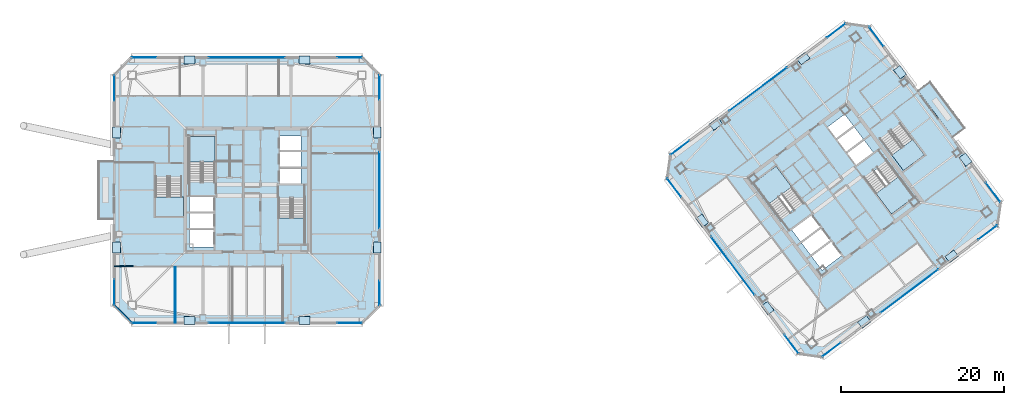
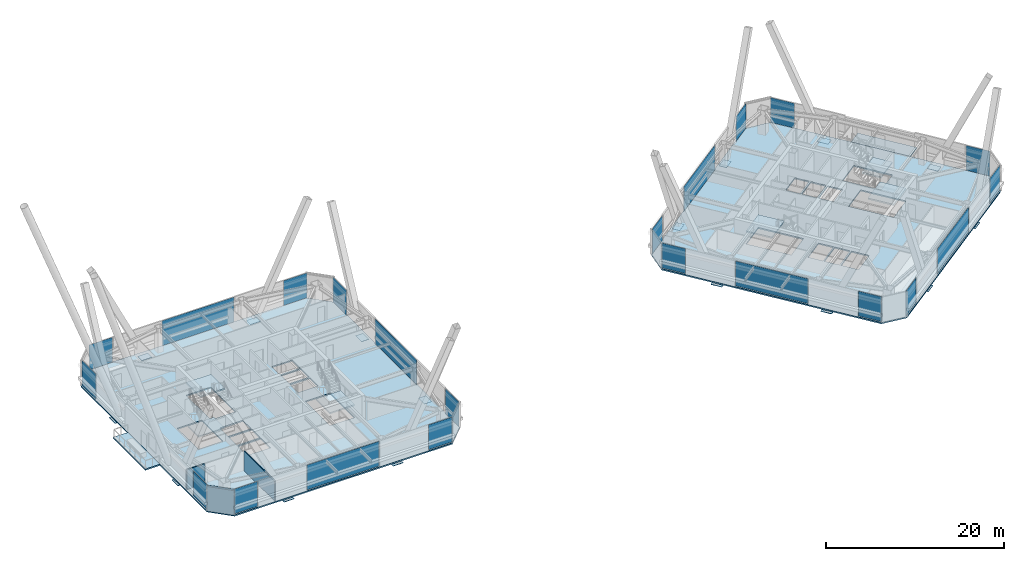
# One storey, part 45 of 56: 38 plates, 10 slabs, 3 walls, 28 elements without a shape of their own.
"""IFC4 building model written with IfcOpenShell, lengths in metres."""

from ifc_helpers import new_model, si_unit, direction, frame, frame_2d, origin, origin_2d, place, context, subcontext, project, spatial, polyline, rectangle, outline, extrude, material, layer, layer_set, type_object, element, aggregate, save


model = new_model("IFC4")

# Units and contexts
model_context = context("Model", 3, precision=1e-05, world=origin(), true_north=direction((0.0, 1.0)))
body_context = subcontext(model_context, "Body", "Model", "MODEL_VIEW")
ifc_project = project(units=[si_unit("LENGTHUNIT", "METRE"), si_unit("AREAUNIT", "SQUARE_METRE"), si_unit("VOLUMEUNIT", "CUBIC_METRE"), si_unit("PLANEANGLEUNIT", "RADIAN"), si_unit("MASSUNIT", "GRAM", prefix="KILO")], contexts=[model_context])

# Site, building, storey
site_placement = place(None, origin())
site = spatial("IfcSite", under=ifc_project, at=site_placement, CompositionType="ELEMENT")
building_placement = place(site_placement, origin())
building = spatial("IfcBuilding", under=site, at=building_placement, Name="Tashvorn Skyway Center", CompositionType="ELEMENT")
storey_placement = place(building_placement, frame((0.0, 0.0, 218.39990234375)))
storey = spatial("IfcBuildingStorey", under=building, at=storey_placement, Name="L59", CompositionType="ELEMENT", Elevation=218.39990234375)

# Curtain wall, plate
ifc_material_1 = material(Name="Thermally broken bronze-anodized aluminium 6063-T6", Category="aluminium")
curtain_wall_type = type_object("IfcCurtainWallType", Name="CW-CW-Z5", PredefinedType="NOTDEFINED", material=ifc_material_1)
curtain_wall_1_placement = place(storey_placement, origin())
curtain_wall_1 = element("IfcCurtainWall", 1, at=curtain_wall_1_placement, inside=storey, type_object=curtain_wall_type, Name="Tower 1 L59 South Unitised Curtain Wall Glazing Group 1", PredefinedType="NOTDEFINED")
ifc_material_2 = material(Name="Low-E solar-control double insulating safety glass", Category="glass")
ifc_layer_1 = layer(ifc_material_2, 0.031982421875)
ifc_layer_set_1 = layer_set([ifc_layer_1], Name="Low-E solar-control double insulating safety glass")
plate_type_1 = type_object("IfcPlateType", Name="CWP-CW-Z5", PredefinedType="CURTAIN_PANEL", material=ifc_layer_set_1)
plate_1_placement = place(storey_placement, frame((54.6044921875, 15.719970703125, 0.0703125), z_axis=(0.0, 0.0, 1.0), x_axis=(-1.0, 0.0, 0.0)))
plate_1 = element("IfcPlate", 2, at=plate_1_placement, type_object=plate_type_1, Name="CW-Z5 panel 1.1", PredefinedType="CURTAIN_PANEL", context=body_context, shape_type="SweptSolid", body=[
    extrude(rectangle(XDim=3.010986328125, YDim=0.031982421875, at=origin_2d()), origin(), (0.0, 0.0, 1.0), 3.409912109375),
])
aggregate(curtain_wall_1, [plate_1])

curtain_wall_2_placement = place(storey_placement, origin())
curtain_wall_2 = element("IfcCurtainWall", 3, at=curtain_wall_2_placement, inside=storey, type_object=curtain_wall_type, Name="Tower 1 L59 South Unitised Curtain Wall Glazing Group 2", PredefinedType="NOTDEFINED")
plate_2_placement = place(storey_placement, frame((42.0, 15.719970703125, 0.0703125), z_axis=(0.0, 0.0, 1.0), x_axis=(-1.0, 0.0, 0.0)))
plate_2 = element("IfcPlate", 4, at=plate_2_placement, type_object=plate_type_1, Name="CW-Z5 panel 1.1", PredefinedType="CURTAIN_PANEL", context=body_context, shape_type="SweptSolid", body=[
    extrude(rectangle(XDim=9.3134765625, YDim=0.031982421875, at=origin_2d()), origin(), (0.0, 0.0, 1.0), 3.409912109375),
])
aggregate(curtain_wall_2, [plate_2])

curtain_wall_3_placement = place(storey_placement, origin())
curtain_wall_3 = element("IfcCurtainWall", 5, at=curtain_wall_3_placement, inside=storey, type_object=curtain_wall_type, Name="Tower 1 L59 South Unitised Curtain Wall Glazing Group 3", PredefinedType="NOTDEFINED")
plate_3_placement = place(storey_placement, frame((29.3955078125, 15.719970703125, 0.0703125), z_axis=(0.0, 0.0, 1.0), x_axis=(-1.0, 0.0, 0.0)))
plate_3 = element("IfcPlate", 6, at=plate_3_placement, type_object=plate_type_1, Name="CW-Z5 panel 1.1", PredefinedType="CURTAIN_PANEL", context=body_context, shape_type="SweptSolid", body=[
    extrude(rectangle(XDim=3.010986328125, YDim=0.031982421875, at=origin_2d()), origin(), (0.0, 0.0, 1.0), 3.409912109375),
])
aggregate(curtain_wall_3, [plate_3])

curtain_wall_4_placement = place(storey_placement, origin())
curtain_wall_4 = element("IfcCurtainWall", 7, at=curtain_wall_4_placement, inside=storey, type_object=curtain_wall_type, Name="Tower 1 L59 West Curtain Wall L Glazing Group 1", PredefinedType="NOTDEFINED")
plate_4_placement = place(storey_placement, frame((25.719970703125, 19.47509765625, 0.0703125), z_axis=(0.0, 0.0, 1.0), x_axis=(0.0, 1.0, 0.0)))
plate_4 = element("IfcPlate", 8, at=plate_4_placement, type_object=plate_type_1, Name="CW-Z5 panel 1.1", PredefinedType="CURTAIN_PANEL", context=body_context, shape_type="SweptSolid", body=[
    extrude(rectangle(XDim=3.169921875, YDim=0.031982421875, at=origin_2d()), origin(), (0.0, 0.0, 1.0), 3.409912109375),
])
aggregate(curtain_wall_4, [plate_4])

curtain_wall_5_placement = place(storey_placement, origin())
curtain_wall_5 = element("IfcCurtainWall", 9, at=curtain_wall_5_placement, inside=storey, type_object=curtain_wall_type, Name="Tower 1 L59 West Curtain Wall R Glazing Group 1", PredefinedType="NOTDEFINED")
plate_5_placement = place(storey_placement, frame((25.719970703125, 44.52490234375, 0.0703125), z_axis=(0.0, 0.0, 1.0), x_axis=(0.0, 1.0, 0.0)))
plate_5 = element("IfcPlate", 10, at=plate_5_placement, type_object=plate_type_1, Name="CW-Z5 panel 1.1", PredefinedType="CURTAIN_PANEL", context=body_context, shape_type="SweptSolid", body=[
    extrude(rectangle(XDim=3.169921875, YDim=0.031982421875, at=origin_2d()), origin(), (0.0, 0.0, 1.0), 3.409912109375),
])
aggregate(curtain_wall_5, [plate_5])

curtain_wall_6_placement = place(storey_placement, origin())
curtain_wall_6 = element("IfcCurtainWall", 11, at=curtain_wall_6_placement, inside=storey, type_object=curtain_wall_type, Name="Tower 1 L59 North Unitised Curtain Wall Glazing Group 1", PredefinedType="NOTDEFINED")
plate_6_placement = place(storey_placement, frame((29.3955078125, 48.280029296875, 0.0703125), z_axis=(0.0, 0.0, 1.0), x_axis=(1.0, 0.0, 0.0)))
plate_6 = element("IfcPlate", 12, at=plate_6_placement, type_object=plate_type_1, Name="CW-Z5 panel 1.1", PredefinedType="CURTAIN_PANEL", context=body_context, shape_type="SweptSolid", body=[
    extrude(rectangle(XDim=3.010986328125, YDim=0.031982421875, at=origin_2d()), origin(), (0.0, 0.0, 1.0), 3.409912109375),
])
aggregate(curtain_wall_6, [plate_6])

curtain_wall_7_placement = place(storey_placement, origin())
curtain_wall_7 = element("IfcCurtainWall", 13, at=curtain_wall_7_placement, inside=storey, type_object=curtain_wall_type, Name="Tower 1 L59 North Unitised Curtain Wall Glazing Group 2", PredefinedType="NOTDEFINED")
plate_7_placement = place(storey_placement, frame((42.0, 48.280029296875, 0.0703125), z_axis=(0.0, 0.0, 1.0), x_axis=(1.0, 0.0, 0.0)))
plate_7 = element("IfcPlate", 14, at=plate_7_placement, type_object=plate_type_1, Name="CW-Z5 panel 1.1", PredefinedType="CURTAIN_PANEL", context=body_context, shape_type="SweptSolid", body=[
    extrude(rectangle(XDim=9.3134765625, YDim=0.031982421875, at=origin_2d()), origin(), (0.0, 0.0, 1.0), 3.409912109375),
])
aggregate(curtain_wall_7, [plate_7])

curtain_wall_8_placement = place(storey_placement, origin())
curtain_wall_8 = element("IfcCurtainWall", 15, at=curtain_wall_8_placement, inside=storey, type_object=curtain_wall_type, Name="Tower 1 L59 North Unitised Curtain Wall Glazing Group 3", PredefinedType="NOTDEFINED")
plate_8_placement = place(storey_placement, frame((54.6044921875, 48.280029296875, 0.0703125), z_axis=(0.0, 0.0, 1.0), x_axis=(1.0, 0.0, 0.0)))
plate_8 = element("IfcPlate", 16, at=plate_8_placement, type_object=plate_type_1, Name="CW-Z5 panel 1.1", PredefinedType="CURTAIN_PANEL", context=body_context, shape_type="SweptSolid", body=[
    extrude(rectangle(XDim=3.010986328125, YDim=0.031982421875, at=origin_2d()), origin(), (0.0, 0.0, 1.0), 3.409912109375),
])
aggregate(curtain_wall_8, [plate_8])

curtain_wall_9_placement = place(storey_placement, origin())
curtain_wall_9 = element("IfcCurtainWall", 17, at=curtain_wall_9_placement, inside=storey, type_object=curtain_wall_type, Name="Tower 1 L59 East Unitised Curtain Wall Glazing Group 1", PredefinedType="NOTDEFINED")
plate_9_placement = place(storey_placement, frame((58.280029296875, 44.6044921875, 0.0703125), z_axis=(0.0, 0.0, 1.0), x_axis=(0.0, -1.0, 0.0)))
plate_9 = element("IfcPlate", 18, at=plate_9_placement, type_object=plate_type_1, Name="CW-Z5 panel 1.1", PredefinedType="CURTAIN_PANEL", context=body_context, shape_type="SweptSolid", body=[
    extrude(rectangle(XDim=3.010986328125, YDim=0.031982421875, at=origin_2d()), origin(), (0.0, 0.0, 1.0), 3.409912109375),
])
aggregate(curtain_wall_9, [plate_9])

curtain_wall_10_placement = place(storey_placement, origin())
curtain_wall_10 = element("IfcCurtainWall", 19, at=curtain_wall_10_placement, inside=storey, type_object=curtain_wall_type, Name="Tower 1 L59 East Unitised Curtain Wall Glazing Group 2", PredefinedType="NOTDEFINED")
plate_10_placement = place(storey_placement, frame((58.280029296875, 32.0, 0.0703125), z_axis=(0.0, 0.0, 1.0), x_axis=(0.0, -1.0, 0.0)))
plate_10 = element("IfcPlate", 20, at=plate_10_placement, type_object=plate_type_1, Name="CW-Z5 panel 1.1", PredefinedType="CURTAIN_PANEL", context=body_context, shape_type="SweptSolid", body=[
    extrude(rectangle(XDim=9.3134765625, YDim=0.031982421875, at=origin_2d()), origin(), (0.0, 0.0, 1.0), 3.409912109375),
])
aggregate(curtain_wall_10, [plate_10])

curtain_wall_11_placement = place(storey_placement, origin())
curtain_wall_11 = element("IfcCurtainWall", 21, at=curtain_wall_11_placement, inside=storey, type_object=curtain_wall_type, Name="Tower 1 L59 East Unitised Curtain Wall Glazing Group 3", PredefinedType="NOTDEFINED")
plate_11_placement = place(storey_placement, frame((58.280029296875, 19.3955078125, 0.0703125), z_axis=(0.0, 0.0, 1.0), x_axis=(0.0, -1.0, 0.0)))
plate_11 = element("IfcPlate", 22, at=plate_11_placement, type_object=plate_type_1, Name="CW-Z5 panel 1.1", PredefinedType="CURTAIN_PANEL", context=body_context, shape_type="SweptSolid", body=[
    extrude(rectangle(XDim=3.010986328125, YDim=0.031982421875, at=origin_2d()), origin(), (0.0, 0.0, 1.0), 3.409912109375),
])
aggregate(curtain_wall_11, [plate_11])

curtain_wall_12_placement = place(storey_placement, origin())
curtain_wall_12 = element("IfcCurtainWall", 23, at=curtain_wall_12_placement, inside=storey, type_object=curtain_wall_type, Name="Tower 2 L59 South Unitised Curtain Wall Glazing Group 1", PredefinedType="NOTDEFINED")
plate_12_placement = place(storey_placement, frame((132.873779296875, 26.805419921875, 0.0703125), z_axis=(0.0, 0.0, 1.0), x_axis=(-0.799999999998, -0.600000000002, 0.0)))
plate_12 = element("IfcPlate", 24, at=plate_12_placement, type_object=plate_type_1, Name="CW-Z5 panel 1.1", PredefinedType="CURTAIN_PANEL", context=body_context, shape_type="SweptSolid", body=[
    extrude(rectangle(XDim=2.85546875, YDim=0.031982421875, at=origin_2d()), origin(), (0.0, 0.0, 1.0), 3.409912109375),
])
aggregate(curtain_wall_12, [plate_12])

curtain_wall_13_placement = place(storey_placement, origin())
curtain_wall_13 = element("IfcCurtainWall", 25, at=curtain_wall_13_placement, inside=storey, type_object=curtain_wall_type, Name="Tower 2 L59 South Unitised Curtain Wall Glazing Group 2", PredefinedType="NOTDEFINED")
plate_13_placement = place(storey_placement, frame((123.2880859375, 19.615966796875, 0.0703125), z_axis=(0.0, 0.0, 1.0), x_axis=(-0.800002670596, -0.599996439189, 0.0)))
plate_13 = element("IfcPlate", 26, at=plate_13_placement, type_object=plate_type_1, Name="CW-Z5 panel 1.1", PredefinedType="CURTAIN_PANEL", context=body_context, shape_type="SweptSolid", body=[
    extrude(rectangle(XDim=8.8466796875, YDim=0.031982421875, at=origin_2d()), origin(), (0.0, 0.0, 1.0), 3.409912109375),
])
aggregate(curtain_wall_13, [plate_13])

curtain_wall_14_placement = place(storey_placement, origin())
curtain_wall_14 = element("IfcCurtainWall", 27, at=curtain_wall_14_placement, inside=storey, type_object=curtain_wall_type, Name="Tower 2 L59 South Unitised Curtain Wall Glazing Group 3", PredefinedType="NOTDEFINED")
plate_14_placement = place(storey_placement, frame((113.7021484375, 12.4267578125, 0.0703125), z_axis=(0.0, 0.0, 1.0), x_axis=(-0.799999999998, -0.600000000002, 0.0)))
plate_14 = element("IfcPlate", 28, at=plate_14_placement, type_object=plate_type_1, Name="CW-Z5 panel 1.1", PredefinedType="CURTAIN_PANEL", context=body_context, shape_type="SweptSolid", body=[
    extrude(rectangle(XDim=2.85546875, YDim=0.031982421875, at=origin_2d()), origin(), (0.0, 0.0, 1.0), 3.409912109375),
])
aggregate(curtain_wall_14, [plate_14])

curtain_wall_15_placement = place(storey_placement, origin())
curtain_wall_15 = element("IfcCurtainWall", 29, at=curtain_wall_15_placement, inside=storey, type_object=curtain_wall_type, Name="Tower 2 L59 West Unitised Curtain Wall Glazing Group 1", PredefinedType="NOTDEFINED")
plate_15_placement = place(storey_placement, frame((108.805419921875, 13.126220703125, 0.0703125), z_axis=(0.0, 0.0, 1.0), x_axis=(-0.600000000002, 0.799999999998, 0.0)))
plate_15 = element("IfcPlate", 30, at=plate_15_placement, type_object=plate_type_1, Name="CW-Z5 panel 1.1", PredefinedType="CURTAIN_PANEL", context=body_context, shape_type="SweptSolid", body=[
    extrude(rectangle(XDim=2.85546875, YDim=0.031982421875, at=origin_2d()), origin(), (0.0, 0.0, 1.0), 3.409912109375),
])
aggregate(curtain_wall_15, [plate_15])

curtain_wall_16_placement = place(storey_placement, origin())
curtain_wall_16 = element("IfcCurtainWall", 31, at=curtain_wall_16_placement, inside=storey, type_object=curtain_wall_type, Name="Tower 2 L59 West Unitised Curtain Wall Glazing Group 2", PredefinedType="NOTDEFINED")
plate_16_placement = place(storey_placement, frame((101.615966796875, 22.7119140625, 0.0703125), z_axis=(0.0, 0.0, 1.0), x_axis=(-0.599996439189, 0.800002670596, 0.0)))
plate_16 = element("IfcPlate", 32, at=plate_16_placement, type_object=plate_type_1, Name="CW-Z5 panel 1.1", PredefinedType="CURTAIN_PANEL", context=body_context, shape_type="SweptSolid", body=[
    extrude(rectangle(XDim=8.8466796875, YDim=0.031982421875, at=origin_2d()), origin(), (0.0, 0.0, 1.0), 3.409912109375),
])
aggregate(curtain_wall_16, [plate_16])

curtain_wall_17_placement = place(storey_placement, origin())
curtain_wall_17 = element("IfcCurtainWall", 33, at=curtain_wall_17_placement, inside=storey, type_object=curtain_wall_type, Name="Tower 2 L59 West Unitised Curtain Wall Glazing Group 3", PredefinedType="NOTDEFINED")
plate_17_placement = place(storey_placement, frame((94.4267578125, 32.2978515625, 0.0703125), z_axis=(0.0, 0.0, 1.0), x_axis=(-0.600000000002, 0.799999999998, 0.0)))
plate_17 = element("IfcPlate", 34, at=plate_17_placement, type_object=plate_type_1, Name="CW-Z5 panel 1.1", PredefinedType="CURTAIN_PANEL", context=body_context, shape_type="SweptSolid", body=[
    extrude(rectangle(XDim=2.85546875, YDim=0.031982421875, at=origin_2d()), origin(), (0.0, 0.0, 1.0), 3.409912109375),
])
aggregate(curtain_wall_17, [plate_17])

curtain_wall_18_placement = place(storey_placement, origin())
curtain_wall_18 = element("IfcCurtainWall", 35, at=curtain_wall_18_placement, inside=storey, type_object=curtain_wall_type, Name="Tower 2 L59 North Unitised Curtain Wall Glazing Group 1", PredefinedType="NOTDEFINED")
plate_18_placement = place(storey_placement, frame((95.126220703125, 37.194580078125, 0.0703125), z_axis=(0.0, 0.0, 1.0), x_axis=(0.799999999998, 0.600000000002, 0.0)))
plate_18 = element("IfcPlate", 36, at=plate_18_placement, type_object=plate_type_1, Name="CW-Z5 panel 1.1", PredefinedType="CURTAIN_PANEL", context=body_context, shape_type="SweptSolid", body=[
    extrude(rectangle(XDim=2.85546875, YDim=0.031982421875, at=origin_2d()), origin(), (0.0, 0.0, 1.0), 3.409912109375),
])
aggregate(curtain_wall_18, [plate_18])

curtain_wall_19_placement = place(storey_placement, origin())
curtain_wall_19 = element("IfcCurtainWall", 37, at=curtain_wall_19_placement, inside=storey, type_object=curtain_wall_type, Name="Tower 2 L59 North Unitised Curtain Wall Glazing Group 2", PredefinedType="NOTDEFINED")
plate_19_placement = place(storey_placement, frame((104.7119140625, 44.384033203125, 0.0703125), z_axis=(0.0, 0.0, 1.0), x_axis=(0.800002670596, 0.599996439189, 0.0)))
plate_19 = element("IfcPlate", 38, at=plate_19_placement, type_object=plate_type_1, Name="CW-Z5 panel 1.1", PredefinedType="CURTAIN_PANEL", context=body_context, shape_type="SweptSolid", body=[
    extrude(rectangle(XDim=8.8466796875, YDim=0.031982421875, at=origin_2d()), origin(), (0.0, 0.0, 1.0), 3.409912109375),
])
aggregate(curtain_wall_19, [plate_19])

curtain_wall_20_placement = place(storey_placement, origin())
curtain_wall_20 = element("IfcCurtainWall", 39, at=curtain_wall_20_placement, inside=storey, type_object=curtain_wall_type, Name="Tower 2 L59 North Unitised Curtain Wall Glazing Group 3", PredefinedType="NOTDEFINED")
plate_20_placement = place(storey_placement, frame((114.2978515625, 51.5732421875, 0.0703125), z_axis=(0.0, 0.0, 1.0), x_axis=(0.799999999998, 0.600000000002, 0.0)))
plate_20 = element("IfcPlate", 40, at=plate_20_placement, type_object=plate_type_1, Name="CW-Z5 panel 1.1", PredefinedType="CURTAIN_PANEL", context=body_context, shape_type="SweptSolid", body=[
    extrude(rectangle(XDim=2.85546875, YDim=0.031982421875, at=origin_2d()), origin(), (0.0, 0.0, 1.0), 3.409912109375),
])
aggregate(curtain_wall_20, [plate_20])

curtain_wall_21_placement = place(storey_placement, origin())
curtain_wall_21 = element("IfcCurtainWall", 41, at=curtain_wall_21_placement, inside=storey, type_object=curtain_wall_type, Name="Tower 2 L59 East Curtain Wall L Glazing Group 1", PredefinedType="NOTDEFINED")
plate_21_placement = place(storey_placement, frame((119.218994140625, 50.84130859375, 0.0703125), z_axis=(0.0, 0.0, 1.0), x_axis=(0.60000520047, -0.799996099621, 0.0)))
plate_21 = element("IfcPlate", 42, at=plate_21_placement, type_object=plate_type_1, Name="CW-Z5 panel 1.1", PredefinedType="CURTAIN_PANEL", context=body_context, shape_type="SweptSolid", body=[
    extrude(rectangle(XDim=2.9365234375, YDim=0.031982421875, at=origin_2d()), origin(), (0.0, 0.0, 1.0), 3.409912109375),
])
aggregate(curtain_wall_21, [plate_21])

curtain_wall_22_placement = place(storey_placement, origin())
curtain_wall_22 = element("IfcCurtainWall", 43, at=curtain_wall_22_placement, inside=storey, type_object=curtain_wall_type, Name="Tower 2 L59 East Curtain Wall R Glazing Group 1", PredefinedType="NOTDEFINED")
plate_22_placement = place(storey_placement, frame((133.549072265625, 31.734619140625, 0.0703125), z_axis=(0.0, 0.0, 1.0), x_axis=(0.60000520047, -0.799996099621, 0.0)))
plate_22 = element("IfcPlate", 44, at=plate_22_placement, type_object=plate_type_1, Name="CW-Z5 panel 1.1", PredefinedType="CURTAIN_PANEL", context=body_context, shape_type="SweptSolid", body=[
    extrude(rectangle(XDim=2.9365234375, YDim=0.031982421875, at=origin_2d()), origin(), (0.0, 0.0, 1.0), 3.409912109375),
])
aggregate(curtain_wall_22, [plate_22])

# Plates
ifc_material_3 = material(Name="Steel ASTM A572 Grade 50", Category="steel")
ifc_layer_2 = layer(ifc_material_3, 0.044921875)
ifc_layer_set_2 = layer_set([ifc_layer_2], Name="Steel ASTM A572 Grade 50")
plate_type_2 = type_object("IfcPlateType", Name="PLT-GUSSET-45", PredefinedType="USERDEFINED", material=ifc_layer_set_2)
for number, where, z_axis, x_axis, name in (
    (45, (34.949951171875, 16.02001953125, -0.472412109375), (0.0, 0.0, 1.0), (1.0, 0.0, 0.0), "Tower 1 Zone 5 S Mid-Chevron Node Gusset L"),
    (46, (49.050048828125, 16.02001953125, -0.472412109375), (0.0, 0.0, 1.0), (1.0, 0.0, 0.0), "Tower 1 Zone 5 S Mid-Chevron Node Gusset R"),
    (47, (57.97998046875, 24.949951171875, -0.472412109375), (0.0, 0.0, 1.0), (0.0, 1.0, 0.0), "Tower 1 Zone 5 E Mid-Chevron Node Gusset L"),
    (48, (57.97998046875, 39.050048828125, -0.472412109375), (0.0, 0.0, 1.0), (0.0, 1.0, 0.0), "Tower 1 Zone 5 E Mid-Chevron Node Gusset R"),
    (49, (49.050048828125, 47.97998046875, -0.472412109375), (0.0, 0.0, 1.0), (-1.0, 0.0, 0.0), "Tower 1 Zone 5 N Mid-Chevron Node Gusset L"),
    (50, (34.949951171875, 47.97998046875, -0.472412109375), (0.0, 0.0, 1.0), (-1.0, 0.0, 0.0), "Tower 1 Zone 5 N Mid-Chevron Node Gusset R"),
    (51, (26.02001953125, 39.050048828125, -0.472412109375), (0.0, 0.0, 1.0), (0.0, -1.0, 0.0), "Tower 1 Zone 5 W Mid-Chevron Node Gusset L"),
    (52, (26.02001953125, 24.949951171875, -0.472412109375), (0.0, 0.0, 1.0), (0.0, -1.0, 0.0), "Tower 1 Zone 5 W Mid-Chevron Node Gusset R"),
    (53, (117.748046875, 15.8359375, -0.472412109375), (0.0, 0.0, 1.0), (0.799999996291, 0.600000004945, 0.0), "Tower 2 Zone 5 S Mid-Chevron Node Gusset L"),
    (54, (128.468017578125, 23.8759765625, -0.472412109375), (0.0, 0.0, 1.0), (0.799999996291, 0.600000004945, 0.0), "Tower 2 Zone 5 S Mid-Chevron Node Gusset R"),
    (55, (130.1640625, 35.748046875, -0.472412109375), (0.0, 0.0, 1.0), (-0.600000004945, 0.799999996291, 0.0), "Tower 2 Zone 5 E Mid-Chevron Node Gusset L"),
    (56, (122.1240234375, 46.468017578125, -0.472412109375), (0.0, 0.0, 1.0), (-0.600000004945, 0.799999996291, 0.0), "Tower 2 Zone 5 E Mid-Chevron Node Gusset R"),
    (57, (110.251953125, 48.1640625, -0.472412109375), (0.0, 0.0, 1.0), (-0.799999996291, -0.600000004945, 0.0), "Tower 2 Zone 5 N Mid-Chevron Node Gusset L"),
    (58, (99.531982421875, 40.1240234375, -0.472412109375), (0.0, 0.0, 1.0), (-0.799999996291, -0.600000004945, 0.0), "Tower 2 Zone 5 N Mid-Chevron Node Gusset R"),
    (59, (97.8359375, 28.251953125, -0.472412109375), (0.0, 0.0, 1.0), (0.600000004945, -0.799999996291, 0.0), "Tower 2 Zone 5 W Mid-Chevron Node Gusset L"),
    (60, (105.8759765625, 17.531982421875, -0.472412109375), (0.0, 0.0, 1.0), (0.600000004945, -0.799999996291, 0.0), "Tower 2 Zone 5 W Mid-Chevron Node Gusset R"),
):
    element("IfcPlate", number, at=place(storey_placement, frame(where, z_axis=z_axis, x_axis=x_axis)), inside=storey, type_object=plate_type_2, Name=name, ObjectType="GUSSET PLATE", PredefinedType="USERDEFINED", context=body_context, shape_type="SweptSolid", body=[
        extrude(rectangle(XDim=1.35009765625, YDim=0.949951171875, at=origin_2d()), origin(), (0.0, 0.0, 1.0), 0.044921875),
    ])

# Slabs
ifc_material_4 = material(Name="Concrete C40/50", Category="concrete")
ifc_layer_3 = layer(ifc_material_4, 0.179931640625)
ifc_layer_set_3 = layer_set([ifc_layer_3], Name="Concrete C40/50")
slab_type_1 = type_object("IfcSlabType", Name="SLAB-FLR-180", PredefinedType="FLOOR", material=ifc_layer_set_3)
slab_1_placement = place(storey_placement, frame((0.0, 0.0, -0.179931640625)))
element("IfcSlab", 61, at=slab_1_placement, inside=storey, type_object=slab_type_1, Name="Tower 1 L59 Composite Floor Slab", PredefinedType="FLOOR", context=body_context, shape_type="SweptSolid", body=[
    extrude(outline(polyline([(27.89990234375, 15.60009765625), (56.10009765625, 15.60009765625), (58.39990234375, 17.89990234375), (58.39990234375, 46.10009765625), (56.10009765625, 48.39990234375), (27.89990234375, 48.39990234375), (25.60009765625, 46.10009765625), (25.60009765625, 17.89990234375), (27.89990234375, 15.60009765625)]), holes=[polyline([(38.10009765625, 33.080078125), (38.10009765625, 38.60009765625), (34.89990234375, 38.60009765625), (34.89990234375, 33.080078125), (38.10009765625, 33.080078125)]), polyline([(45.89990234375, 30.919921875), (45.89990234375, 25.39990234375), (49.10009765625, 25.39990234375), (49.10009765625, 30.919921875), (45.89990234375, 30.919921875)]), polyline([(30.800048828125, 33.52001953125), (30.800048828125, 28.800048828125), (34.0, 28.800048828125), (34.0, 33.52001953125), (30.800048828125, 33.52001953125)]), polyline([(34.949951171875, 29.35009765625), (37.949951171875, 29.35009765625), (37.949951171875, 31.199951171875), (34.949951171875, 31.199951171875), (34.949951171875, 29.35009765625)]), polyline([(34.949951171875, 27.35009765625), (37.949951171875, 27.35009765625), (37.949951171875, 29.199951171875), (34.949951171875, 29.199951171875), (34.949951171875, 27.35009765625)]), polyline([(34.949951171875, 25.0), (37.949951171875, 25.0), (37.949951171875, 27.14990234375), (34.949951171875, 27.14990234375), (34.949951171875, 25.0)]), polyline([(46.050048828125, 32.800048828125), (48.64990234375, 32.800048828125), (48.64990234375, 34.64990234375), (46.050048828125, 34.64990234375), (46.050048828125, 32.800048828125)]), polyline([(46.050048828125, 34.85009765625), (48.64990234375, 34.85009765625), (48.64990234375, 36.699951171875), (46.050048828125, 36.699951171875), (46.050048828125, 34.85009765625)]), polyline([(46.050048828125, 36.89990234375), (48.64990234375, 36.89990234375), (48.64990234375, 38.64990234375), (46.050048828125, 38.64990234375), (46.050048828125, 36.89990234375)])]), origin(), (0.0, 0.0, 1.0), 0.179931640625),
])
slab_2_placement = place(storey_placement, frame((0.0, 0.0, -0.179931640625)))
element("IfcSlab", 62, at=slab_2_placement, inside=storey, type_object=slab_type_1, Name="Tower 2 L59 Composite Floor Slab", PredefinedType="FLOOR", context=body_context, shape_type="SweptSolid", body=[
    extrude(outline(polyline([(112.639892578125, 11.47998046875), (134.080078125, 27.56005859375), (134.52001953125, 30.639892578125), (118.43994140625, 52.080078125), (115.360107421875, 52.52001953125), (93.919921875, 36.43994140625), (93.47998046875, 33.360107421875), (109.56005859375, 11.919921875), (112.639892578125, 11.47998046875)]), holes=[polyline([(110.23193359375, 30.52392578125), (106.919921875, 34.93994140625), (104.135986328125, 32.85205078125), (107.447998046875, 28.43603515625), (110.23193359375, 30.52392578125)]), polyline([(117.76806640625, 33.47607421875), (121.080078125, 29.06005859375), (123.864013671875, 31.14794921875), (120.552001953125, 35.56396484375), (117.76806640625, 33.47607421875)]), polyline([(119.7119140625, 38.18408203125), (122.5439453125, 34.407958984375), (125.10400390625, 36.327880859375), (122.27197265625, 40.10400390625), (119.7119140625, 38.18408203125)]), polyline([(109.949951171875, 25.64990234375), (112.35009765625, 27.449951171875), (111.239990234375, 28.929931640625), (108.840087890625, 27.1298828125), (109.949951171875, 25.64990234375)]), polyline([(111.14990234375, 24.050048828125), (113.550048828125, 25.85009765625), (112.43994140625, 27.330078125), (110.0400390625, 25.530029296875), (111.14990234375, 24.050048828125)]), polyline([(112.56005859375, 22.169921875), (114.9599609375, 23.969970703125), (113.669921875, 25.68994140625), (111.27001953125, 23.889892578125), (112.56005859375, 22.169921875)]), polyline([(116.760009765625, 35.070068359375), (118.840087890625, 36.6298828125), (117.72998046875, 38.110107421875), (115.64990234375, 36.550048828125), (116.760009765625, 35.070068359375)]), polyline([(115.530029296875, 36.7099609375), (117.610107421875, 38.27001953125), (116.5, 39.75), (114.419921875, 38.18994140625), (115.530029296875, 36.7099609375)]), polyline([(114.300048828125, 38.35009765625), (116.3798828125, 39.909912109375), (115.330078125, 41.31005859375), (113.25, 39.75), (114.300048828125, 38.35009765625)])]), origin(), (0.0, 0.0, 1.0), 0.179931640625),
])

# Stair, slab
stair_type = type_object("IfcStairType", Name="STAIR-CORE-1500", PredefinedType="HALF_TURN_STAIR", material=ifc_material_4)
stair_1_placement = place(storey_placement, origin())
stair_1 = element("IfcStair", 63, at=stair_1_placement, inside=storey, type_object=stair_type, Name="L59 Tower 1 Exit Stair 1", PredefinedType="HALF_TURN_STAIR")
ifc_layer_4 = layer(ifc_material_4, 0.199951171875)
ifc_layer_set_4 = layer_set([ifc_layer_4], Name="Concrete C40/50")
slab_type_2 = type_object("IfcSlabType", Name="SLAB-LAND-200", PredefinedType="LANDING", material=ifc_layer_set_4)
slab_3_placement = place(storey_placement, frame((0.0, 0.0, 1.5751953125)))
slab_3 = element("IfcSlab", 64, at=slab_3_placement, type_object=slab_type_2, Name="ST-T1-1 landing 1", PredefinedType="LANDING", context=body_context, shape_type="SweptSolid", body=[
    extrude(outline(polyline([(38.10009765625, 35.43994140625), (38.10009765625, 38.60009765625), (34.89990234375, 38.60009765625), (34.89990234375, 35.43994140625), (38.10009765625, 35.43994140625)])), origin(), (0.0, 0.0, 1.0), 0.199951171875),
])
aggregate(stair_1, [slab_3])

stair_2_placement = place(storey_placement, origin())
stair_2 = element("IfcStair", 65, at=stair_2_placement, inside=storey, type_object=stair_type, Name="L59 Tower 1 Exit Stair 2", PredefinedType="HALF_TURN_STAIR")
slab_4_placement = place(storey_placement, frame((0.0, 0.0, 1.5751953125)))
slab_4 = element("IfcSlab", 66, at=slab_4_placement, type_object=slab_type_2, Name="ST-T1-2 landing 1", PredefinedType="LANDING", context=body_context, shape_type="SweptSolid", body=[
    extrude(outline(polyline([(45.89990234375, 28.56005859375), (45.89990234375, 25.39990234375), (49.10009765625, 25.39990234375), (49.10009765625, 28.56005859375), (45.89990234375, 28.56005859375)])), origin(), (0.0, 0.0, 1.0), 0.199951171875),
])
aggregate(stair_2, [slab_4])

stair_3_placement = place(storey_placement, origin())
stair_3 = element("IfcStair", 67, at=stair_3_placement, inside=storey, type_object=stair_type, Name="L59 Tower 2 Exit Stair 1", PredefinedType="HALF_TURN_STAIR")
slab_5_placement = place(storey_placement, frame((0.0, 0.0, 1.5751953125)))
slab_5 = element("IfcSlab", 68, at=slab_5_placement, type_object=slab_type_2, Name="ST-T2-1 landing 1", PredefinedType="LANDING", context=body_context, shape_type="SweptSolid", body=[
    extrude(outline(polyline([(108.82080078125, 32.405517578125), (106.919921875, 34.93994140625), (104.135986328125, 32.85205078125), (106.036865234375, 30.317626953125), (108.82080078125, 32.405517578125)])), origin(), (0.0, 0.0, 1.0), 0.199951171875),
])
aggregate(stair_3, [slab_5])

stair_4_placement = place(storey_placement, origin())
stair_4 = element("IfcStair", 69, at=stair_4_placement, inside=storey, type_object=stair_type, Name="L59 Tower 2 Exit Stair 2", PredefinedType="HALF_TURN_STAIR")
slab_6_placement = place(storey_placement, frame((0.0, 0.0, 1.5751953125)))
slab_6 = element("IfcSlab", 70, at=slab_6_placement, type_object=slab_type_2, Name="ST-T2-2 landing 1", PredefinedType="LANDING", context=body_context, shape_type="SweptSolid", body=[
    extrude(outline(polyline([(119.17919921875, 31.594482421875), (121.080078125, 29.06005859375), (123.864013671875, 31.14794921875), (121.963134765625, 33.682373046875), (119.17919921875, 31.594482421875)])), origin(), (0.0, 0.0, 1.0), 0.199951171875),
])
aggregate(stair_4, [slab_6])

stair_5_placement = place(storey_placement, origin())
stair_5 = element("IfcStair", 71, at=stair_5_placement, inside=storey, type_object=stair_type, Name="L59 Tower 1 Exit Stair 3", PredefinedType="HALF_TURN_STAIR")
slab_7_placement = place(storey_placement, frame((0.0, 0.0, 1.5751953125)))
slab_7 = element("IfcSlab", 72, at=slab_7_placement, type_object=slab_type_2, Name="ST-T1-3 landing 1", PredefinedType="LANDING", context=body_context, shape_type="SweptSolid", body=[
    extrude(outline(polyline([(30.800048828125, 31.159912109375), (30.800048828125, 28.800048828125), (34.199951171875, 28.800048828125), (34.199951171875, 31.159912109375), (30.800048828125, 31.159912109375)])), origin(), (0.0, 0.0, 1.0), 0.199951171875),
])
aggregate(stair_5, [slab_7])

stair_6_placement = place(storey_placement, origin())
stair_6 = element("IfcStair", 73, at=stair_6_placement, inside=storey, type_object=stair_type, Name="L59 Tower 2 Exit Stair 3", PredefinedType="HALF_TURN_STAIR")
slab_8_placement = place(storey_placement, frame((0.0, 0.0, 1.5751953125)))
slab_8 = element("IfcSlab", 74, at=slab_8_placement, type_object=slab_type_2, Name="ST-T2-3 landing 1", PredefinedType="LANDING", context=body_context, shape_type="SweptSolid", body=[
    extrude(outline(polyline([(121.123291015625, 36.302490234375), (122.5439453125, 34.407958984375), (125.10400390625, 36.327880859375), (123.68310546875, 38.222412109375), (121.123291015625, 36.302490234375)])), origin(), (0.0, 0.0, 1.0), 0.199951171875),
])
aggregate(stair_6, [slab_8])

# Slabs
ifc_layer_5 = layer(ifc_material_4, 0.179931640625)
ifc_layer_set_5 = layer_set([ifc_layer_5], Name="Concrete C40/50")
slab_type_3 = type_object("IfcSlabType", Name="SLAB-TERR-200", PredefinedType="FLOOR", material=ifc_layer_set_5)
slab_9_placement = place(storey_placement, frame((0.0, 0.0, -0.179931640625)))
element("IfcSlab", 75, at=slab_9_placement, inside=storey, type_object=slab_type_3, Name="Tower 1 L59 Spiral Planted Terrace Slab", PredefinedType="FLOOR", context=body_context, shape_type="SweptSolid", body=[
    extrude(outline(polyline([(23.699951171875, 28.39990234375), (25.610107421875, 28.39990234375), (25.610107421875, 35.60009765625), (23.699951171875, 35.60009765625), (23.699951171875, 28.39990234375)])), origin(), (0.0, 0.0, 1.0), 0.179931640625),
])
slab_10_placement = place(storey_placement, frame((0.0, 0.0, -0.179931640625)))
element("IfcSlab", 76, at=slab_10_placement, inside=storey, type_object=slab_type_3, Name="Tower 2 L59 Spiral Planted Terrace Slab", PredefinedType="FLOOR", context=body_context, shape_type="SweptSolid", body=[
    extrude(outline(polyline([(128.632080078125, 38.47412109375), (130.159912109375, 39.6201171875), (125.840087890625, 45.3798828125), (124.31201171875, 44.23388671875), (128.632080078125, 38.47412109375)])), origin(), (0.0, 0.0, 1.0), 0.179931640625),
])

# Walls
ifc_material_5 = material(Name="Precast concrete C40/50", Category="concrete")
ifc_layer_6 = layer(ifc_material_5, 0.280029296875)
ifc_layer_set_6 = layer_set([ifc_layer_6], Name="Precast concrete C40/50")
wall_type_1 = type_object("IfcWallType", Name="WALL-EXT-280", PredefinedType="SOLIDWALL", material=ifc_layer_set_6)
wall_1_placement = place(storey_placement, frame((27.89990234375, 15.699951171875, 0.0), z_axis=(0.0, 0.0, 1.0), x_axis=(-0.707106781187, 0.707106781187, 0.0)))
element("IfcWall", 77, at=wall_1_placement, inside=storey, type_object=wall_type_1, Name="Tower 1 L59 SW Precast Chamfer Wall", PredefinedType="SOLIDWALL", context=body_context, shape_type="SweptSolid", body=[
    extrude(rectangle(XDim=3.111083984375, YDim=0.280029296875, at=frame_2d((1.5556640625, 0.0))), origin(), (0.0, 0.0, 1.0), 3.3701171875),
])
ifc_material_6 = material(Name="Gypsum board on cold-formed steel stud framing", Category="steel")
ifc_layer_7 = layer(ifc_material_6, 0.110107421875)
ifc_layer_set_7 = layer_set([ifc_layer_7], Name="Gypsum board on cold-formed steel stud framing")
wall_type_2 = type_object("IfcWallType", Name="WALL-PART-110", PredefinedType="PARTITIONING", material=ifc_layer_set_7)
wall_2_placement = place(storey_placement, frame((33.199951171875, 15.719970703125, 0.0), z_axis=(0.0, 0.0, 1.0), x_axis=(0.0, 1.0, 0.0)))
element("IfcWall", 78, at=wall_2_placement, inside=storey, type_object=wall_type_2, Name="Tower 1 L59 South Suite Partition 1", PredefinedType="PARTITIONING", context=body_context, shape_type="SweptSolid", body=[
    extrude(rectangle(XDim=6.85009765625, YDim=0.110107421875, at=frame_2d((3.425048828125, 0.0))), origin(), (0.0, 0.0, 1.0), 2.72314453125),
])
ifc_layer_8 = layer(ifc_material_6, 0.135009765625)
ifc_layer_set_8 = layer_set([ifc_layer_8], Name="Gypsum board on cold-formed steel stud framing")
wall_type_3 = type_object("IfcWallType", Name="WALL-PART-135", PredefinedType="PARTITIONING", material=ifc_layer_set_8)
wall_3_placement = place(storey_placement, frame((25.719970703125, 22.64990234375, 0.0), z_axis=(0.0, 0.0, 1.0), x_axis=(1.0, 0.0, 0.0)))
element("IfcWall", 79, at=wall_3_placement, inside=storey, type_object=wall_type_3, Name="Tower 1 L59 South-West Suite North Wall", PredefinedType="PARTITIONING", context=body_context, shape_type="SweptSolid", body=[
    extrude(rectangle(XDim=2.330078125, YDim=0.135009765625, at=frame_2d((1.1650390625, 0.0))), origin(), (0.0, 0.0, 1.0), 2.72314453125),
])

save(model, "model.ifc")
